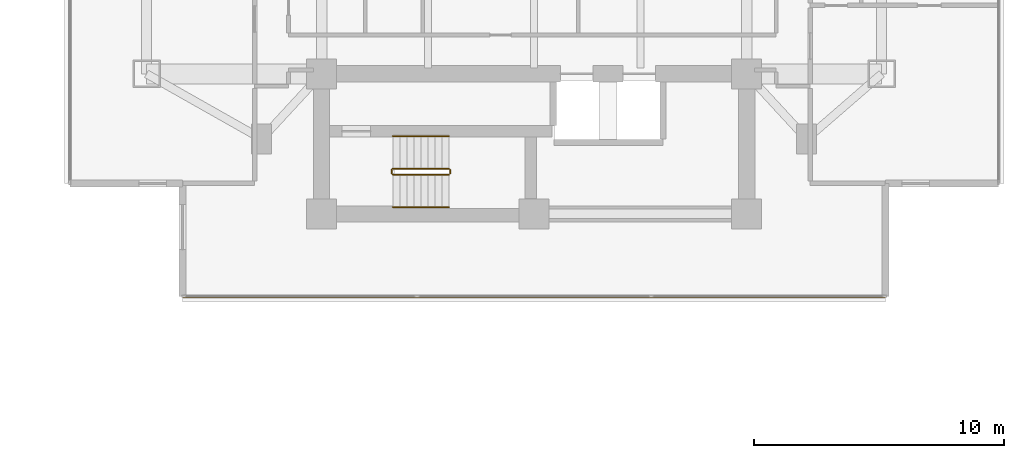
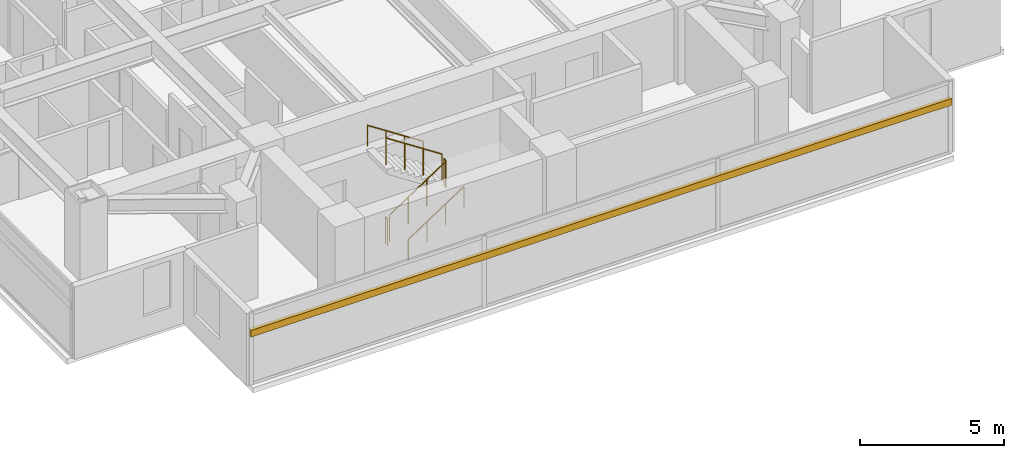
# One storey, part 24 of 26: 6 railings, 1 shading device.
"""IFC4 building model written with IfcOpenShell, lengths in metres."""

import ifcopenshell
import ifcopenshell.guid

model = None  # the IFC model being written
_history = None  # IfcOwnerHistory: only IFC2X3 demands one
_inside = {}  # id of a spatial element -> (the spatial element, [elements in it])
_under = {}  # id of a project, library or spatial element -> (it, [spatial elements below it])
_declared = {}  # id of a project -> (the project, [libraries it declares])
_typed = {}  # id of a type object -> (the type object, [elements of that type])
_made_of = {}  # id of a material, layer set ... -> (it, [elements and type objects made of it])


def new_model(schema):
    """Start an empty IFC model of exactly this schema.

    Asked for "IFC4X3", IfcOpenShell would pick the latest addendum, in which some entities
    have other attributes; the version numbers below select the first issue.
    IFC2X3 requires an IfcOwnerHistory on every rooted entity: one is made here for all.
    """
    global model, _history
    if schema == "IFC4X3":
        model = ifcopenshell.file(schema_version=(4, 3, 0, 0))
    else:
        model = ifcopenshell.file(schema=schema)
    _inside.clear()
    _under.clear()
    _declared.clear()
    _typed.clear()
    _made_of.clear()
    _history = None
    if model.schema == "IFC2X3":
        org = make("IfcOrganization", Name="unknown")
        user = make(
            "IfcPersonAndOrganization",
            ThePerson=make("IfcPerson", FamilyName="unknown"),
            TheOrganization=org,
        )
        app = make(
            "IfcApplication",
            ApplicationDeveloper=org,
            Version="unknown",
            ApplicationFullName="unknown",
            ApplicationIdentifier="unknown",
        )
        _history = make(
            "IfcOwnerHistory",
            OwningUser=user,
            OwningApplication=app,
            ChangeAction="ADDED",
            CreationDate=0,
        )
    return model


def make(cls, **values):
    """One entity of the class cls with the attributes given. An attribute that is None is left unset."""
    return model.create_entity(
        cls, **{name: value for name, value in values.items() if value is not None}
    )


def rooted(cls, **values):
    """An entity with a GlobalId (a new one), such as an element, a storey or a relation."""
    return make(cls, GlobalId=ifcopenshell.guid.new(), OwnerHistory=_history, **values)


def si_unit(unit_type, name, prefix=None):
    """IfcSIUnit, for example si_unit("LENGTHUNIT", "METRE", prefix="MILLI")."""
    return make("IfcSIUnit", UnitType=unit_type, Prefix=prefix, Name=name)


def assignment(units):
    """IfcUnitAssignment: the units of a project."""
    return None if units is None else make("IfcUnitAssignment", Units=units)


def point(xyz):
    """IfcCartesianPoint."""
    return None if xyz is None else make("IfcCartesianPoint", Coordinates=xyz)


def direction(xyz):
    """IfcDirection."""
    return None if xyz is None else make("IfcDirection", DirectionRatios=xyz)


def frame(location, z_axis=None, x_axis=None):
    """IfcAxis2Placement3D, a coordinate frame: its origin and axes. An axis left out is left unset."""
    return make(
        "IfcAxis2Placement3D",
        Location=point(location),
        Axis=direction(z_axis),
        RefDirection=direction(x_axis),
    )


def frame_2d(location, x_axis=None):
    """IfcAxis2Placement2D, a coordinate frame in the plane: its origin and x axis."""
    return make(
        "IfcAxis2Placement2D", Location=point(location), RefDirection=direction(x_axis)
    )


def origin():
    """The frame at (0, 0, 0) with its axes left unset."""
    return frame((0.0, 0.0, 0.0))


def origin_2d():
    """The frame at (0, 0) in the plane with its x axis left unset."""
    return frame_2d((0.0, 0.0))


def place(relative_to, where):
    """IfcLocalPlacement: puts the frame where relative to a parent placement (None: the world)."""
    return make(
        "IfcLocalPlacement", PlacementRelTo=relative_to, RelativePlacement=where
    )


def context(
    kind, dimensions, precision=None, world=None, true_north=None, identifier=None
):
    """IfcGeometricRepresentationContext, for example the 3D "Model" context."""
    return make(
        "IfcGeometricRepresentationContext",
        ContextIdentifier=identifier,
        ContextType=kind,
        CoordinateSpaceDimension=dimensions,
        Precision=precision,
        WorldCoordinateSystem=world,
        TrueNorth=true_north,
    )


def subcontext(parent, identifier, kind, view, scale=None):
    """IfcGeometricRepresentationSubContext, for example "Body" below "Model"."""
    return make(
        "IfcGeometricRepresentationSubContext",
        ContextIdentifier=identifier,
        ContextType=kind,
        ParentContext=parent,
        TargetScale=scale,
        TargetView=view,
    )


def project(units=None, contexts=None):
    """IfcProject with its units and contexts."""
    return rooted(
        "IfcProject",
        Name="project",
        RepresentationContexts=contexts,
        UnitsInContext=assignment(units),
    )


def spatial(cls, under=None, at=None, **own):
    """A site, building, storey or space (cls), placed at a placement, below another one or the project."""
    s = rooted(cls, ObjectPlacement=at, **own)
    if under is not None:
        _under.setdefault(under.id(), (under, []))[1].append(s)
    return s


def profile(cls, at=None, kind="AREA", **sizes):
    """A parametric profile (cls). Its sizes go by their IFC names, for example OverallWidth=200.0."""
    return make(cls, ProfileType=kind, Position=at, **sizes)


def rectangle(**sizes):
    """IfcRectangleProfileDef."""
    return profile("IfcRectangleProfileDef", **sizes)


def circle(**sizes):
    """IfcCircleProfileDef."""
    return profile("IfcCircleProfileDef", **sizes)


def extrude(swept, where, along, depth):
    """IfcExtrudedAreaSolid: the profile swept, set in the frame where, extruded along a direction by depth."""
    return make(
        "IfcExtrudedAreaSolid",
        SweptArea=swept,
        Position=where,
        ExtrudedDirection=direction(along),
        Depth=depth,
    )


def shape(context_of_items, identifier, shape_type, items):
    """IfcShapeRepresentation: the items that make up one representation, for example the "Body"."""
    return make(
        "IfcShapeRepresentation",
        ContextOfItems=context_of_items,
        RepresentationIdentifier=identifier,
        RepresentationType=shape_type,
        Items=items,
    )


def material(Name=None, Category=None):
    """IfcMaterial."""
    return make("IfcMaterial", Name=Name, Category=Category)


def material_profile(
    of_material, cross_section, Name=None, Category=None, Priority=None
):
    """IfcMaterialProfile: a cross section and its material."""
    return make(
        "IfcMaterialProfile",
        Name=Name,
        Material=of_material,
        Profile=cross_section,
        Priority=Priority,
        Category=Category,
    )


def profile_set(profiles, Name=None, composite=None):
    """IfcMaterialProfileSet."""
    return make(
        "IfcMaterialProfileSet",
        Name=Name,
        MaterialProfiles=profiles,
        CompositeProfile=composite,
    )


def made_of(thing, what):
    """Note that an element or type object is made of a material, layer set ...; save() writes the relation."""
    if what is not None:
        _made_of.setdefault(what.id(), (what, []))[1].append(thing)
    return thing


def type_object(cls, material=None, **own):
    """A type object (cls), such as IfcWallType, which elements share."""
    return made_of(rooted(cls, **own), material)


def element(
    cls,
    number,
    at=None,
    inside=None,
    cuts=None,
    type_object=None,
    material=None,
    context=None,
    identifier="Body",
    shape_type=None,
    held_by="IfcProductDefinitionShape",
    body=None,
    shapes=None,
    **own,
):
    """One element of the class cls, such as IfcWall. Its Tag is "e" and its number.

    at: its placement. inside: the storey or other place that contains it. cuts: it is an
    opening in that element (IfcRelVoidsElement). A single representation is given by context,
    identifier, shape_type and body (its items); several are given by shapes. held_by: the class
    of the entity that holds the representations. save() writes the other relations.
    """
    e = rooted(cls, Tag="e%d" % number, ObjectPlacement=at, **own)
    if body is not None:
        shapes = [shape(context, identifier, shape_type, body)]
    if shapes is not None:
        e.Representation = make(held_by, Representations=shapes)
    if inside is not None:
        _inside.setdefault(inside.id(), (inside, []))[1].append(e)
    if cuts is not None:
        rooted(
            "IfcRelVoidsElement", RelatingBuildingElement=cuts, RelatedOpeningElement=e
        )
    if type_object is not None:
        _typed.setdefault(type_object.id(), (type_object, []))[1].append(e)
    return made_of(e, material)


def aggregate(whole, parts):
    """IfcRelAggregates: a whole, such as a stair, and the parts it consists of."""
    return rooted("IfcRelAggregates", RelatingObject=whole, RelatedObjects=parts)


def save(model, path):
    """Write the relations noted so far, then the file.

    IfcRelAggregates (storeys below a building ...), IfcRelContainedInSpatialStructure (elements
    in a storey), IfcRelDefinesByType, IfcRelAssociatesMaterial and IfcRelDeclares: one each for
    every whole, place, type object, material and project.
    """
    for whole, parts in _under.values():
        aggregate(whole, parts)
    for where, things in _inside.values():
        rooted(
            "IfcRelContainedInSpatialStructure",
            RelatedElements=things,
            RelatingStructure=where,
        )
    for kind, things in _typed.values():
        rooted("IfcRelDefinesByType", RelatedObjects=things, RelatingType=kind)
    for what, things in _made_of.values():
        rooted("IfcRelAssociatesMaterial", RelatedObjects=things, RelatingMaterial=what)
    for by, libraries in _declared.values():
        rooted("IfcRelDeclares", RelatingContext=by, RelatedDefinitions=libraries)
    model.write(path)


model = new_model("IFC4")

# Units and contexts
model_context = context("Model", 3, precision=1e-05, world=origin(), true_north=direction((0.0, 1.0)))
body_context = subcontext(model_context, "Body", "Model", "MODEL_VIEW")
ifc_project = project(units=[si_unit("LENGTHUNIT", "METRE"), si_unit("AREAUNIT", "SQUARE_METRE"), si_unit("VOLUMEUNIT", "CUBIC_METRE"), si_unit("PLANEANGLEUNIT", "RADIAN"), si_unit("MASSUNIT", "GRAM", prefix="KILO")], contexts=[model_context])

# Site, building, storey
site_placement = place(None, origin())
site = spatial("IfcSite", under=ifc_project, at=site_placement, CompositionType="ELEMENT")
building_placement = place(site_placement, origin())
building = spatial("IfcBuilding", under=site, at=building_placement, Name="Mirazonda Arch Towers", CompositionType="ELEMENT")
storey_placement = place(building_placement, frame((0.0, 0.0, 108.199951171875)))
storey = spatial("IfcBuildingStorey", under=building, at=storey_placement, Name="L30", CompositionType="ELEMENT", Elevation=108.199951171875)

# Shading device
ifc_material_1 = material(Name="Kiln-Fired Architectural Terracotta", Category="masonry")
ifc_material_profile = material_profile(ifc_material_1, rectangle(XDim=0.139892578125, YDim=0.280029296875, at=origin_2d()), Name="TERRA-BAG-140x280")
ifc_profile_set = profile_set([ifc_material_profile], Name="Kiln-Fired Architectural Terracotta")
shading_device_type = type_object("IfcShadingDeviceType", Name="BAGUETTE-3", PredefinedType="USERDEFINED", material=ifc_profile_set)
shading_device_placement = place(storey_placement, frame((90.55419921875, 11.902587890625, 2.203369140625), z_axis=(-1.0, 0.0, 0.0), x_axis=(0.0, -1.0, 0.0)))
element("IfcShadingDevice", 1, at=shading_device_placement, inside=storey, type_object=shading_device_type, Name="L30 Glazed Terracotta Sun-Screen Baguette CW-L30-T2-S", ObjectType="BAGUETTE", PredefinedType="USERDEFINED", context=body_context, shape_type="SweptSolid", body=[
    extrude(rectangle(XDim=0.139892578125, YDim=0.280029296875, at=origin_2d()), origin(), (0.0, 0.0, 1.0), 28.1083984375),
])

# Railings
ifc_material_2 = material(Name="Architectural Brushed Steel S355", Category="steel")
railing_type_1 = type_object("IfcRailingType", Name="GUARD-STAIR-1120", PredefinedType="GUARDRAIL", material=ifc_material_2)
railing_1_placement = place(storey_placement, frame((70.85009765625, 16.77001953125, 0.183349609375)))
element("IfcRailing", 2, at=railing_1_placement, inside=storey, type_object=railing_type_1, Name="L30 ST-T2S stair guard 1", PredefinedType="GUARDRAIL", context=body_context, shape_type="SweptSolid", body=[
    extrude(circle(Radius=0.02392578125, at=origin_2d()), frame((0.0, 0.0, 1.1259765625), z_axis=(0.836595146698, 0.0, 0.547821650285), x_axis=(0.0, 1.0, 0.0)), (0.0, 0.0, 1.0), 2.677490234375),
    extrude(circle(Radius=0.02099609375, at=origin_2d()), origin(), (0.0, 0.0, 1.0), 1.101806640625),
    extrude(circle(Radius=0.02099609375, at=origin_2d()), frame((0.74658203125, 0.0, 0.489013671875)), (0.0, 0.0, 1.0), 1.101806640625),
    extrude(circle(Radius=0.02099609375, at=origin_2d()), frame((1.493408203125, 0.0, 0.977783203125)), (0.0, 0.0, 1.0), 1.101806640625),
    extrude(circle(Radius=0.02099609375, at=origin_2d()), frame((2.239990234375, 0.0, 1.466796875)), (0.0, 0.0, 1.0), 1.101806640625),
])
railing_2_placement = place(storey_placement, frame((73.139892578125, 16.820068359375, 1.650146484375)))
element("IfcRailing", 3, at=railing_2_placement, inside=storey, type_object=railing_type_1, Name="L30 ST-T2S stair guard 2", PredefinedType="GUARDRAIL", context=body_context, shape_type="SweptSolid", body=[
    extrude(circle(Radius=0.02392578125, at=origin_2d()), frame((0.0, 0.0, 1.1259765625), z_axis=(0.0, 1.0, 0.0), x_axis=(-1.0, 0.0, 0.0)), (0.0, 0.0, 1.0), 0.139892578125),
    extrude(circle(Radius=0.02099609375, at=origin_2d()), origin(), (0.0, 0.0, 1.0), 1.101806640625),
    extrude(circle(Radius=0.02099609375, at=origin_2d()), frame((0.0, 0.139892578125, 0.0)), (0.0, 0.0, 1.0), 1.101806640625),
])
railing_3_placement = place(storey_placement, frame((73.090087890625, 17.010009765625, 1.83349609375)))
element("IfcRailing", 4, at=railing_3_placement, inside=storey, type_object=railing_type_1, Name="L30 ST-T2S stair guard 3", PredefinedType="GUARDRAIL", context=body_context, shape_type="SweptSolid", body=[
    extrude(circle(Radius=0.02392578125, at=origin_2d()), frame((0.0, 0.0, 1.1259765625), z_axis=(-0.836636935527, 0.0, 0.547757827979), x_axis=(0.0, -1.0, 0.0)), (0.0, 0.0, 1.0), 2.677490234375),
    extrude(circle(Radius=0.02099609375, at=origin_2d()), origin(), (0.0, 0.0, 1.0), 1.101806640625),
    extrude(circle(Radius=0.02099609375, at=origin_2d()), frame((-0.74658203125, 0.0, 0.48876953125)), (0.0, 0.0, 1.0), 1.101806640625),
    extrude(circle(Radius=0.02099609375, at=origin_2d()), frame((-1.493408203125, 0.0, 0.977783203125)), (0.0, 0.0, 1.0), 1.101806640625),
    extrude(circle(Radius=0.02099609375, at=origin_2d()), frame((-2.239990234375, 0.0, 1.466552734375)), (0.0, 0.0, 1.0), 1.101806640625),
])
railing_4_placement = place(storey_placement, frame((70.800048828125, 16.820068359375, 0.0)))
element("IfcRailing", 5, at=railing_4_placement, inside=storey, type_object=railing_type_1, Name="L30 ST-T2S stair guard 4", PredefinedType="GUARDRAIL", context=body_context, shape_type="SweptSolid", body=[
    extrude(circle(Radius=0.02392578125, at=origin_2d()), frame((0.0, 0.0, 1.1259765625), z_axis=(0.0, 1.0, 0.0), x_axis=(-1.0, 0.0, 0.0)), (0.0, 0.0, 1.0), 0.139892578125),
    extrude(circle(Radius=0.02099609375, at=origin_2d()), origin(), (0.0, 0.0, 1.0), 1.101806640625),
    extrude(circle(Radius=0.02099609375, at=origin_2d()), frame((0.0, 0.139892578125, 0.0)), (0.0, 0.0, 1.0), 1.101806640625),
])
railing_type_2 = type_object("IfcRailingType", Name="HANDRAIL-915", PredefinedType="HANDRAIL", material=ifc_material_2)
railing_5_placement = place(storey_placement, frame((70.85009765625, 15.469970703125, 0.183349609375)))
element("IfcRailing", 6, at=railing_5_placement, inside=storey, type_object=railing_type_2, Name="L30 ST-T2S stair handrail 1", PredefinedType="HANDRAIL", context=body_context, shape_type="SweptSolid", body=[
    extrude(circle(Radius=0.02392578125, at=origin_2d()), frame((0.0, 0.0, 0.8759765625), z_axis=(0.836595146698, 0.0, 0.547821650285), x_axis=(0.0, 1.0, 0.0)), (0.0, 0.0, 1.0), 2.677490234375),
    extrude(circle(Radius=0.02099609375, at=origin_2d()), origin(), (0.0, 0.0, 1.0), 0.851806640625),
    extrude(circle(Radius=0.02099609375, at=origin_2d()), frame((0.74658203125, 0.0, 0.489013671875)), (0.0, 0.0, 1.0), 0.851806640625),
    extrude(circle(Radius=0.02099609375, at=origin_2d()), frame((1.493408203125, 0.0, 0.977783203125)), (0.0, 0.0, 1.0), 0.851806640625),
    extrude(circle(Radius=0.02099609375, at=origin_2d()), frame((2.239990234375, 0.0, 1.466796875)), (0.0, 0.0, 1.0), 0.851806640625),
])
railing_6_placement = place(storey_placement, frame((73.090087890625, 18.31005859375, 1.83349609375)))
element("IfcRailing", 7, at=railing_6_placement, inside=storey, type_object=railing_type_2, Name="L30 ST-T2S stair handrail 2", PredefinedType="HANDRAIL", context=body_context, shape_type="SweptSolid", body=[
    extrude(circle(Radius=0.02392578125, at=origin_2d()), frame((0.0, 0.0, 0.8759765625), z_axis=(-0.836636935527, 0.0, 0.547757827979), x_axis=(0.0, -1.0, 0.0)), (0.0, 0.0, 1.0), 2.677490234375),
    extrude(circle(Radius=0.02099609375, at=origin_2d()), origin(), (0.0, 0.0, 1.0), 0.851806640625),
    extrude(circle(Radius=0.02099609375, at=origin_2d()), frame((-0.74658203125, 0.0, 0.48876953125)), (0.0, 0.0, 1.0), 0.851806640625),
    extrude(circle(Radius=0.02099609375, at=origin_2d()), frame((-1.493408203125, 0.0, 0.977783203125)), (0.0, 0.0, 1.0), 0.851806640625),
    extrude(circle(Radius=0.02099609375, at=origin_2d()), frame((-2.239990234375, 0.0, 1.466552734375)), (0.0, 0.0, 1.0), 0.851806640625),
])

save(model, "model.ifc")
